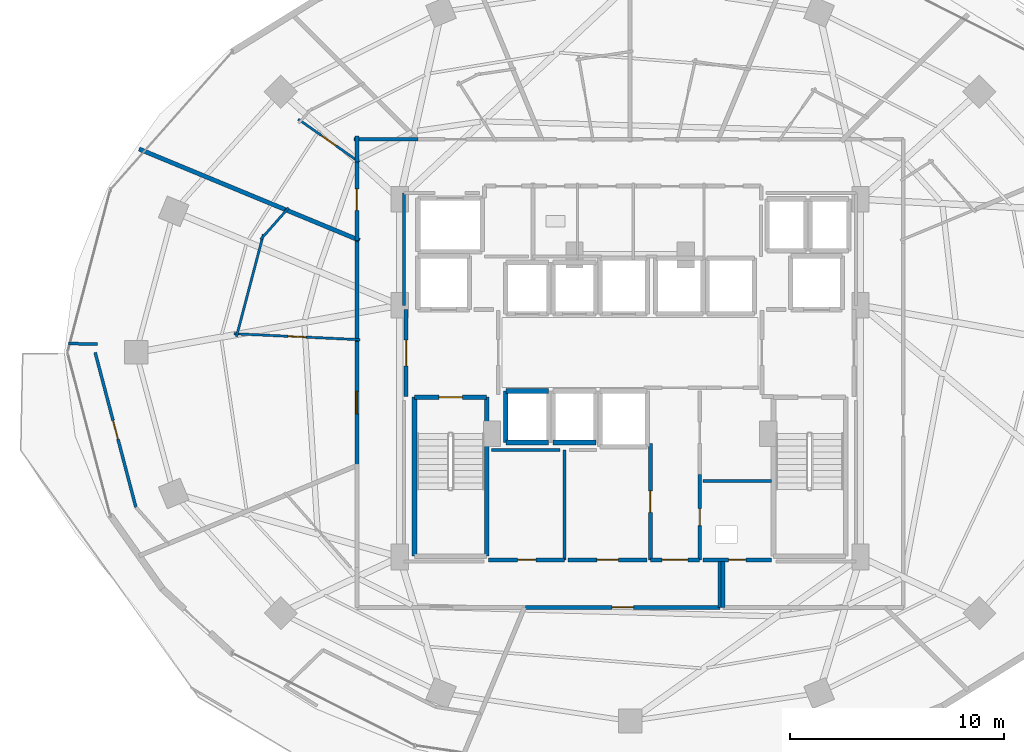
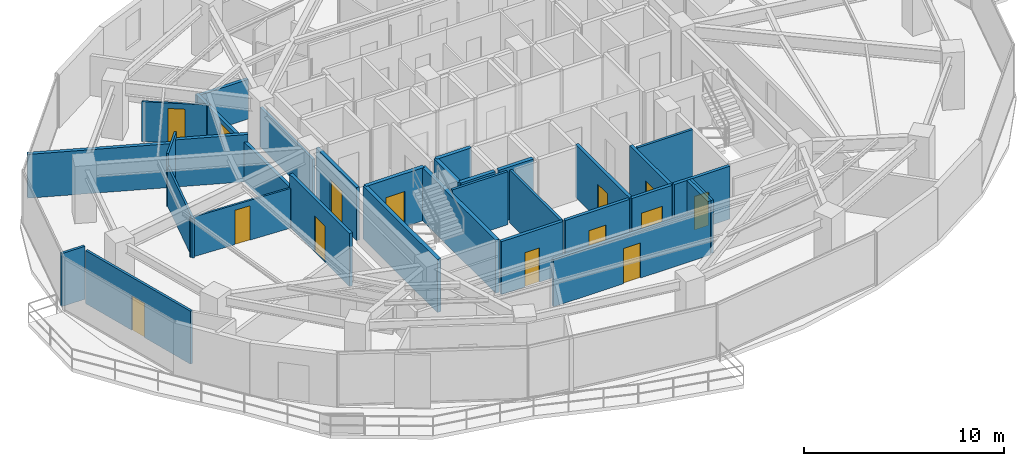
# One storey, part 24 of 31: 34 walls, 14 doors, 14 openings.
"""IFC4 building model written with IfcOpenShell, lengths in metres."""

from ifc_helpers import new_model, si_unit, direction, frame, frame_2d, origin, place, context, subcontext, project, spatial, rectangle, extrude, material, layer, layer_set, type_object, element, fill, save


model = new_model("IFC4")

# Units and contexts
model_context = context("Model", 3, precision=1e-05, world=origin(), true_north=direction((0.0, 1.0)))
body_context = subcontext(model_context, "Body", "Model", "MODEL_VIEW")
ifc_project = project(units=[si_unit("LENGTHUNIT", "METRE"), si_unit("AREAUNIT", "SQUARE_METRE"), si_unit("VOLUMEUNIT", "CUBIC_METRE"), si_unit("PLANEANGLEUNIT", "RADIAN"), si_unit("MASSUNIT", "GRAM", prefix="KILO")], contexts=[model_context])

# Site, building, storey
site_placement = place(None, origin())
site = spatial("IfcSite", under=ifc_project, at=site_placement, CompositionType="ELEMENT")
building_placement = place(site_placement, origin())
building = spatial("IfcBuilding", under=site, at=building_placement, Name="Vorneva Point Tower", CompositionType="ELEMENT")
storey_placement = place(building_placement, frame((0.0, 0.0, 99.800048828125)))
storey = spatial("IfcBuildingStorey", under=building, at=storey_placement, Name="L26", CompositionType="ELEMENT", Elevation=99.800048828125)

# Wall, opening, door
ifc_material_1 = material(Name="Fire-rated acoustic gypsum stud partition", Category="gypsum")
ifc_layer_1 = layer(ifc_material_1, 0.110107421875)
ifc_layer_set_1 = layer_set([ifc_layer_1], Name="Fire-rated acoustic gypsum stud partition")
wall_type_1 = type_object("IfcWallType", Name="WL-PART-110", PredefinedType="PARTITIONING", material=ifc_layer_set_1)
wall_1_placement = place(storey_placement, frame((25.364501953125, 34.880615234375, 0.0), z_axis=(0.0, 0.0, 1.0), x_axis=(-0.81809360258, 0.575085087111, 0.0)))
wall_1 = element("IfcWall", 1, at=wall_1_placement, inside=storey, type_object=wall_type_1, Name="L26 Interior Partition 076", PredefinedType="PARTITIONING", context=body_context, shape_type="SweptSolid", body=[
    extrude(rectangle(XDim=3.481201171875, YDim=0.110107421875, at=frame_2d((1.74072265625, 0.0))), origin(), (0.0, 0.0, 1.0), 2.431884765625),
])
opening_1_placement = place(wall_1_placement, frame((1.315673828125, 0.0, 0.0)))
opening_1 = element("IfcOpeningElement", 2, at=opening_1_placement, cuts=wall_1, Name="Opening ID-02", PredefinedType="OPENING", context=body_context, shape_type="SweptSolid", body=[
    extrude(rectangle(XDim=0.85009765625, YDim=2.10009765625, at=frame_2d((0.425048828125, 1.050048828125))), frame((0.0, 0.06982421875, 0.0), z_axis=(0.0, -1.0, 0.0), x_axis=(1.0, 0.0, 0.0)), (0.0, 0.0, 1.0), 0.139892578125),
])
ifc_material_2 = material(Name="Engineered oak fire-rated door leaf", Category="wood")
door_type_1 = type_object("IfcDoorType", Name="DR-BATH-850", OperationType="NOTDEFINED", PredefinedType="DOOR", material=ifc_material_2)
door_1_placement = place(opening_1_placement, origin())
door_1 = element("IfcDoor", 3, at=door_1_placement, inside=storey, type_object=door_type_1, Name="L26 Door Deluxe Guest Room L26-06 / En-Suite Bathroom L26-06", OperationType="SINGLE_SWING_LEFT", OverallHeight=2.10009765625, OverallWidth=0.85009765625, PredefinedType="DOOR", context=body_context, shape_type="SweptSolid", body=[
    extrude(rectangle(XDim=0.85009765625, YDim=2.10009765625, at=frame_2d((0.425048828125, 1.050048828125))), frame((0.0, 0.02490234375, 0.0), z_axis=(0.0, -1.0, 0.0), x_axis=(1.0, 0.0, 0.0)), (0.0, 0.0, 1.0), 0.050048828125),
])
fill(opening_1, door_1)

wall_2_placement = place(storey_placement, frame((25.389892578125, 26.594482421875, 0.0), z_axis=(0.0, 0.0, 1.0), x_axis=(-0.998884920498, 0.047211392719, 0.0)))
wall_2 = element("IfcWall", 4, at=wall_2_placement, inside=storey, type_object=wall_type_1, Name="L26 Interior Partition 079", PredefinedType="PARTITIONING", context=body_context, shape_type="SweptSolid", body=[
    extrude(rectangle(XDim=5.869384765625, YDim=0.110107421875, at=frame_2d((2.9345703125, 0.0))), origin(), (0.0, 0.0, 1.0), 2.431884765625),
])
opening_2_placement = place(wall_2_placement, frame((2.509521484375, 0.0, 0.0)))
opening_2 = element("IfcOpeningElement", 5, at=opening_2_placement, cuts=wall_2, Name="Opening ID-02", PredefinedType="OPENING", context=body_context, shape_type="SweptSolid", body=[
    extrude(rectangle(XDim=0.85009765625, YDim=2.10009765625, at=frame_2d((0.425048828125, 1.050048828125))), frame((0.0, 0.06982421875, 0.0), z_axis=(0.0, -1.0, 0.0), x_axis=(1.0, 0.0, 0.0)), (0.0, 0.0, 1.0), 0.139892578125),
])
door_2_placement = place(opening_2_placement, origin())
door_2 = element("IfcDoor", 6, at=door_2_placement, inside=storey, type_object=door_type_1, Name="L26 Door Executive Suite L26-07 / En-Suite Bathroom L26-07", OperationType="SINGLE_SWING_RIGHT", OverallHeight=2.10009765625, OverallWidth=0.85009765625, PredefinedType="DOOR", context=body_context, shape_type="SweptSolid", body=[
    extrude(rectangle(XDim=0.85009765625, YDim=2.10009765625, at=frame_2d((0.425048828125, 1.050048828125))), frame((0.0, 0.02490234375, 0.0), z_axis=(0.0, -1.0, 0.0), x_axis=(1.0, 0.0, 0.0)), (0.0, 0.0, 1.0), 0.050048828125),
])
fill(opening_2, door_2)

# Walls
wall_3_placement = place(storey_placement, frame((19.63134765625, 26.7294921875, 0.0), z_axis=(0.0, 0.0, 1.0), x_axis=(0.254541956306, 0.967061731473, 0.0)))
element("IfcWall", 7, at=wall_3_placement, inside=storey, type_object=wall_type_1, Name="L26 Interior Partition 080", PredefinedType="PARTITIONING", context=body_context, shape_type="SweptSolid", body=[
    extrude(rectangle(XDim=4.939453125, YDim=0.110107421875, at=frame_2d((2.4697265625, 0.0))), origin(), (0.0, 0.0, 1.0), 2.431884765625),
])
wall_4_placement = place(storey_placement, frame((20.76025390625, 31.26611328125, 0.0), z_axis=(0.0, 0.0, 1.0), x_axis=(0.662047420969, 0.749461948593, 0.0)))
element("IfcWall", 8, at=wall_4_placement, inside=storey, type_object=wall_type_1, Name="L26 Interior Partition 081", PredefinedType="PARTITIONING", context=body_context, shape_type="SweptSolid", body=[
    extrude(rectangle(XDim=1.9716796875, YDim=0.110107421875, at=frame_2d((0.98583984375, 0.0))), origin(), (0.0, 0.0, 1.0), 3.239990234375),
])
ifc_layer_2 = layer(ifc_material_1, 0.139892578125)
ifc_layer_set_2 = layer_set([ifc_layer_2], Name="Fire-rated acoustic gypsum stud partition")
wall_type_2 = type_object("IfcWallType", Name="WL-PART-140", PredefinedType="PARTITIONING", material=ifc_layer_set_2)
wall_5_placement = place(storey_placement, frame((44.60009765625, 20.0, 0.0), z_axis=(0.0, 0.0, 1.0), x_axis=(-1.0, 0.0, 0.0)))
element("IfcWall", 9, at=wall_5_placement, inside=storey, type_object=wall_type_2, Name="L26 Interior Partition 015", PredefinedType="PARTITIONING", context=body_context, shape_type="SweptSolid", body=[
    extrude(rectangle(XDim=3.2001953125, YDim=0.139892578125, at=frame_2d((1.60009765625, 0.0))), origin(), (0.0, 0.0, 1.0), 3.239990234375),
])
wall_6_placement = place(storey_placement, frame((34.949951171875, 16.320068359375, 0.0), z_axis=(0.0, 0.0, 1.0), x_axis=(0.0, 1.0, 0.0)))
element("IfcWall", 10, at=wall_6_placement, inside=storey, type_object=wall_type_2, Name="L26 Interior Partition 025", PredefinedType="PARTITIONING", context=body_context, shape_type="SweptSolid", body=[
    extrude(rectangle(XDim=5.1298828125, YDim=0.139892578125, at=frame_2d((2.56494140625, 0.0))), origin(), (0.0, 0.0, 1.0), 3.239990234375),
])
wall_7_placement = place(storey_placement, frame((11.804931640625, 26.412109375, 0.0), z_axis=(0.0, 0.0, 1.0), x_axis=(0.999862201843, -0.01660052187, 0.0)))
element("IfcWall", 11, at=wall_7_placement, inside=storey, type_object=wall_type_2, Name="L26 Interior Partition 082", PredefinedType="PARTITIONING", context=body_context, shape_type="SweptSolid", body=[
    extrude(rectangle(XDim=1.33837890625, YDim=0.139892578125, at=frame_2d((0.669189453125, 0.0))), origin(), (0.0, 0.0, 1.0), 3.239990234375),
])

# Wall, opening, door
wall_8_placement = place(storey_placement, frame((13.0400390625, 26.0, 0.0), z_axis=(0.0, 0.0, 1.0), x_axis=(0.254345287821, -0.967113475536, 0.0)))
wall_8 = element("IfcWall", 12, at=wall_8_placement, inside=storey, type_object=wall_type_2, Name="L26 Interior Partition 083", PredefinedType="PARTITIONING", context=body_context, shape_type="SweptSolid", body=[
    extrude(rectangle(XDim=7.4697265625, YDim=0.139892578125, at=frame_2d((3.73486328125, 0.0))), origin(), (0.0, 0.0, 1.0), 3.239990234375),
])
opening_3_placement = place(wall_8_placement, frame((3.284912109375, 0.0, 0.0)))
opening_3 = element("IfcOpeningElement", 13, at=opening_3_placement, cuts=wall_8, Name="Opening ID-01", PredefinedType="OPENING", context=body_context, shape_type="SweptSolid", body=[
    extrude(rectangle(XDim=0.89990234375, YDim=2.10009765625, at=frame_2d((0.449951171875, 1.050048828125))), frame((0.0, 0.0849609375, 0.0), z_axis=(0.0, -1.0, 0.0), x_axis=(1.0, 0.0, 0.0)), (0.0, 0.0, 1.0), 0.169677734375),
])
door_type_2 = type_object("IfcDoorType", Name="DR-ROOM-900", OperationType="NOTDEFINED", PredefinedType="DOOR", material=ifc_material_2)
door_3_placement = place(opening_3_placement, origin())
door_3 = element("IfcDoor", 14, at=door_3_placement, inside=storey, type_object=door_type_2, Name="L26 Door Executive Suite L26-07 / Suite Sitting Study L26-07", OperationType="SINGLE_SWING_LEFT", OverallHeight=2.10009765625, OverallWidth=0.89990234375, PredefinedType="DOOR", context=body_context, shape_type="SweptSolid", body=[
    extrude(rectangle(XDim=0.89990234375, YDim=2.10009765625, at=frame_2d((0.449951171875, 1.050048828125))), frame((0.0, 0.02490234375, 0.0), z_axis=(0.0, -1.0, 0.0), x_axis=(1.0, 0.0, 0.0)), (0.0, 0.0, 1.0), 0.050048828125),
])
fill(opening_3, door_3)

# Walls
wall_9_placement = place(storey_placement, frame((34.72998046875, 21.449951171875, 0.0), z_axis=(0.0, 0.0, 1.0), x_axis=(-1.0, 0.0, 0.0)))
element("IfcWall", 15, at=wall_9_placement, inside=storey, type_object=wall_type_2, Name="L26 Interior Closure Partition 102", PredefinedType="PARTITIONING", context=body_context, shape_type="SweptSolid", body=[
    extrude(rectangle(XDim=3.199951171875, YDim=0.139892578125, at=frame_2d((1.60009765625, 0.0))), origin(), (0.0, 0.0, 1.0), 3.239990234375),
])
wall_10_placement = place(storey_placement, frame((27.449951171875, 28.196044921875, 0.0), z_axis=(0.0, 0.0, 1.0), x_axis=(0.0, 1.0, 0.0)))
element("IfcWall", 16, at=wall_10_placement, inside=storey, type_object=wall_type_2, Name="L26 Interior Closure Partition 110", PredefinedType="PARTITIONING", context=body_context, shape_type="SweptSolid", body=[
    extrude(rectangle(XDim=5.25390625, YDim=0.139892578125, at=frame_2d((2.626953125, 0.0))), origin(), (0.0, 0.0, 1.0), 2.431884765625),
])

# Wall, opening, door
ifc_material_3 = material(Name="Autoclaved aerated concrete blockwork", Category="masonry")
ifc_layer_3 = layer(ifc_material_3, 0.179931640625)
ifc_layer_set_3 = layer_set([ifc_layer_3], Name="Autoclaved aerated concrete blockwork")
wall_type_3 = type_object("IfcWallType", Name="WL-PART-180", PredefinedType="PARTITIONING", material=ifc_layer_set_3)
wall_11_placement = place(storey_placement, frame((27.550048828125, 28.0, 0.0), z_axis=(0.0, 0.0, 1.0), x_axis=(0.0, -1.0, 0.0)))
wall_11 = element("IfcWall", 17, at=wall_11_placement, inside=storey, type_object=wall_type_3, Name="L26 Interior Partition 002", PredefinedType="PARTITIONING", context=body_context, shape_type="SweptSolid", body=[
    extrude(rectangle(XDim=4.050048828125, YDim=0.179931640625, at=frame_2d((2.02490234375, 0.0))), origin(), (0.0, 0.0, 1.0), 3.239990234375),
])
opening_4_placement = place(wall_11_placement, frame((1.425048828125, 0.0, 0.0)))
opening_4 = element("IfcOpeningElement", 18, at=opening_4_placement, cuts=wall_11, Name="Opening FD-02", PredefinedType="OPENING", context=body_context, shape_type="SweptSolid", body=[
    extrude(rectangle(XDim=1.199951171875, YDim=2.14990234375, at=frame_2d((0.60009765625, 1.074951171875))), frame((0.0, 0.10498046875, 0.0), z_axis=(0.0, -1.0, 0.0), x_axis=(1.0, 0.0, 0.0)), (0.0, 0.0, 1.0), 0.209716796875),
])
ifc_material_4 = material(Name="Fire-rated powder-coated steel", Category="steel")
door_type_3 = type_object("IfcDoorType", Name="DR-FFL-1200", OperationType="NOTDEFINED", PredefinedType="DOOR", material=ifc_material_4)
door_4_placement = place(opening_4_placement, origin())
door_4 = element("IfcDoor", 19, at=door_4_placement, inside=storey, type_object=door_type_3, Name="L26 Door West Firefighting Lobby / L26 Circulation Corridor", OperationType="SINGLE_SWING_RIGHT", OverallHeight=2.14990234375, OverallWidth=1.199951171875, PredefinedType="DOOR", context=body_context, shape_type="SweptSolid", body=[
    extrude(rectangle(XDim=1.199951171875, YDim=2.14990234375, at=frame_2d((0.60009765625, 1.074951171875))), frame((0.0, 0.02490234375, 0.0), z_axis=(0.0, -1.0, 0.0), x_axis=(1.0, 0.0, 0.0)), (0.0, 0.0, 1.0), 0.050048828125),
])
fill(opening_4, door_4)

wall_12_placement = place(storey_placement, frame((41.25, 16.320068359375, 0.0), z_axis=(0.0, 0.0, 1.0), x_axis=(0.0, 1.0, 0.0)))
wall_12 = element("IfcWall", 20, at=wall_12_placement, inside=storey, type_object=wall_type_3, Name="L26 Interior Partition 011", PredefinedType="PARTITIONING", context=body_context, shape_type="SweptSolid", body=[
    extrude(rectangle(XDim=3.98486328125, YDim=0.179931640625, at=frame_2d((1.992431640625, 0.0))), origin(), (0.0, 0.0, 1.0), 3.239990234375),
])
opening_5_placement = place(wall_12_placement, frame((1.592529296875, 0.0, 0.0)))
opening_5 = element("IfcOpeningElement", 21, at=opening_5_placement, cuts=wall_12, Name="Opening RD-01", PredefinedType="OPENING", context=body_context, shape_type="SweptSolid", body=[
    extrude(rectangle(XDim=0.800048828125, YDim=2.050048828125, at=frame_2d((0.39990234375, 1.02490234375))), frame((0.0, 0.10498046875, 0.0), z_axis=(0.0, -1.0, 0.0), x_axis=(1.0, 0.0, 0.0)), (0.0, 0.0, 1.0), 0.209716796875),
])
door_type_4 = type_object("IfcDoorType", Name="DR-RSR-800", OperationType="SINGLE_SWING_LEFT", PredefinedType="DOOR", material=ifc_material_4)
door_5_placement = place(opening_5_placement, origin())
door_5 = element("IfcDoor", 22, at=door_5_placement, inside=storey, type_object=door_type_4, Name="L26 Door Core Service Lobby / Electrical Riser", OperationType="SINGLE_SWING_RIGHT", OverallHeight=2.050048828125, OverallWidth=0.800048828125, PredefinedType="DOOR", context=body_context, shape_type="SweptSolid", body=[
    extrude(rectangle(XDim=0.800048828125, YDim=2.050048828125, at=frame_2d((0.39990234375, 1.02490234375))), frame((0.0, 0.02490234375, 0.0), z_axis=(0.0, -1.0, 0.0), x_axis=(1.0, 0.0, 0.0)), (0.0, 0.0, 1.0), 0.050048828125),
])
fill(opening_5, door_5)

wall_13_placement = place(storey_placement, frame((38.949951171875, 21.7548828125, 0.0), z_axis=(0.0, 0.0, 1.0), x_axis=(0.0, -1.0, 0.0)))
wall_13 = element("IfcWall", 23, at=wall_13_placement, inside=storey, type_object=wall_type_3, Name="L26 Interior Partition 013", PredefinedType="PARTITIONING", context=body_context, shape_type="SweptSolid", body=[
    extrude(rectangle(XDim=5.434814453125, YDim=0.179931640625, at=frame_2d((2.71728515625, 0.0))), origin(), (0.0, 0.0, 1.0), 3.239990234375),
])
opening_6_placement = place(wall_13_placement, frame((2.217529296875, 0.0, 0.0)))
opening_6 = element("IfcOpeningElement", 24, at=opening_6_placement, cuts=wall_13, Name="Opening UD-01", PredefinedType="OPENING", context=body_context, shape_type="SweptSolid", body=[
    extrude(rectangle(XDim=1.0, YDim=2.14990234375, at=frame_2d((0.5, 1.074951171875))), frame((0.0, 0.10498046875, 0.0), z_axis=(0.0, -1.0, 0.0), x_axis=(1.0, 0.0, 0.0)), (0.0, 0.0, 1.0), 0.209716796875),
])
door_type_5 = type_object("IfcDoorType", Name="DR-UNIT-1000", OperationType="NOTDEFINED", PredefinedType="DOOR", material=ifc_material_2)
door_6_placement = place(opening_6_placement, origin())
door_6 = element("IfcDoor", 25, at=door_6_placement, inside=storey, type_object=door_type_5, Name="L26 Door Core Service Lobby / Staff Service Pantry", OperationType="SINGLE_SWING_RIGHT", OverallHeight=2.14990234375, OverallWidth=1.0, PredefinedType="DOOR", context=body_context, shape_type="SweptSolid", body=[
    extrude(rectangle(XDim=1.0, YDim=2.14990234375, at=frame_2d((0.5, 1.074951171875))), frame((0.0, 0.02490234375, 0.0), z_axis=(0.0, -1.0, 0.0), x_axis=(1.0, 0.0, 0.0)), (0.0, 0.0, 1.0), 0.050048828125),
])
fill(opening_6, door_6)

wall_14_placement = place(storey_placement, frame((38.949951171875, 16.320068359375, 0.0), z_axis=(0.0, 0.0, 1.0), x_axis=(1.0, 0.0, 0.0)))
wall_14 = element("IfcWall", 26, at=wall_14_placement, inside=storey, type_object=wall_type_3, Name="L26 Interior Partition 014", PredefinedType="PARTITIONING", context=body_context, shape_type="SweptSolid", body=[
    extrude(rectangle(XDim=2.300048828125, YDim=0.179931640625, at=frame_2d((1.14990234375, 0.0))), origin(), (0.0, 0.0, 1.0), 3.239990234375),
])
opening_7_placement = place(wall_14_placement, frame((0.550048828125, 0.0, 0.0)))
opening_7 = element("IfcOpeningElement", 27, at=opening_7_placement, cuts=wall_14, Name="Opening FD-02", PredefinedType="OPENING", context=body_context, shape_type="SweptSolid", body=[
    extrude(rectangle(XDim=1.199951171875, YDim=2.14990234375, at=frame_2d((0.60009765625, 1.074951171875))), frame((0.0, 0.10498046875, 0.0), z_axis=(0.0, -1.0, 0.0), x_axis=(1.0, 0.0, 0.0)), (0.0, 0.0, 1.0), 0.209716796875),
])
door_7_placement = place(opening_7_placement, origin())
door_7 = element("IfcDoor", 28, at=door_7_placement, inside=storey, type_object=door_type_3, Name="L26 Door Core Service Lobby / L26 Circulation Corridor", OperationType="SINGLE_SWING_LEFT", OverallHeight=2.14990234375, OverallWidth=1.199951171875, PredefinedType="DOOR", context=body_context, shape_type="SweptSolid", body=[
    extrude(rectangle(XDim=1.199951171875, YDim=2.14990234375, at=frame_2d((0.60009765625, 1.074951171875))), frame((0.0, 0.02490234375, 0.0), z_axis=(0.0, -1.0, 0.0), x_axis=(1.0, 0.0, 0.0)), (0.0, 0.0, 1.0), 0.050048828125),
])
fill(opening_7, door_7)

wall_15_placement = place(storey_placement, frame((41.39990234375, 16.320068359375, 0.0), z_axis=(0.0, 0.0, 1.0), x_axis=(1.0, 0.0, 0.0)))
wall_15 = element("IfcWall", 29, at=wall_15_placement, inside=storey, type_object=wall_type_3, Name="L26 Interior Partition 016", PredefinedType="PARTITIONING", context=body_context, shape_type="SweptSolid", body=[
    extrude(rectangle(XDim=3.2001953125, YDim=0.179931640625, at=frame_2d((1.60009765625, 0.0))), origin(), (0.0, 0.0, 1.0), 3.239990234375),
])
opening_8_placement = place(wall_15_placement, frame((1.199951171875, 0.0, 0.0)))
opening_8 = element("IfcOpeningElement", 30, at=opening_8_placement, cuts=wall_15, Name="Opening RD-01", PredefinedType="OPENING", context=body_context, shape_type="SweptSolid", body=[
    extrude(rectangle(XDim=0.800048828125, YDim=2.050048828125, at=frame_2d((0.39990234375, 1.02490234375))), frame((0.0, 0.10498046875, 0.0), z_axis=(0.0, -1.0, 0.0), x_axis=(1.0, 0.0, 0.0)), (0.0, 0.0, 1.0), 0.209716796875),
])
door_8_placement = place(opening_8_placement, origin())
door_8 = element("IfcDoor", 31, at=door_8_placement, inside=storey, type_object=door_type_4, Name="L26 Door Electrical Riser / L26 Circulation Corridor", OperationType="SINGLE_SWING_RIGHT", OverallHeight=2.050048828125, OverallWidth=0.800048828125, PredefinedType="DOOR", context=body_context, shape_type="SweptSolid", body=[
    extrude(rectangle(XDim=0.800048828125, YDim=2.050048828125, at=frame_2d((0.39990234375, 1.02490234375))), frame((0.0, 0.02490234375, 0.0), z_axis=(0.0, -1.0, 0.0), x_axis=(1.0, 0.0, 0.0)), (0.0, 0.0, 1.0), 0.050048828125),
])
fill(opening_8, door_8)

wall_16_placement = place(storey_placement, frame((31.39990234375, 16.320068359375, 0.0), z_axis=(0.0, 0.0, 1.0), x_axis=(1.0, 0.0, 0.0)))
wall_16 = element("IfcWall", 32, at=wall_16_placement, inside=storey, type_object=wall_type_3, Name="L26 Interior Partition 026", PredefinedType="PARTITIONING", context=body_context, shape_type="SweptSolid", body=[
    extrude(rectangle(XDim=3.550048828125, YDim=0.179931640625, at=frame_2d((1.77490234375, 0.0))), origin(), (0.0, 0.0, 1.0), 3.239990234375),
])
opening_9_placement = place(wall_16_placement, frame((1.35009765625, 0.0, 0.0)))
opening_9 = element("IfcOpeningElement", 33, at=opening_9_placement, cuts=wall_16, Name="Opening ID-02", PredefinedType="OPENING", context=body_context, shape_type="SweptSolid", body=[
    extrude(rectangle(XDim=0.85009765625, YDim=2.10009765625, at=frame_2d((0.425048828125, 1.050048828125))), frame((0.0, 0.10498046875, 0.0), z_axis=(0.0, -1.0, 0.0), x_axis=(1.0, 0.0, 0.0)), (0.0, 0.0, 1.0), 0.209716796875),
])
door_9_placement = place(opening_9_placement, origin())
door_9 = element("IfcDoor", 34, at=door_9_placement, inside=storey, type_object=door_type_1, Name="L26 Door Housekeeping Room / L26 Circulation Corridor", OperationType="SINGLE_SWING_LEFT", OverallHeight=2.10009765625, OverallWidth=0.85009765625, PredefinedType="DOOR", context=body_context, shape_type="SweptSolid", body=[
    extrude(rectangle(XDim=0.85009765625, YDim=2.10009765625, at=frame_2d((0.425048828125, 1.050048828125))), frame((0.0, 0.02490234375, 0.0), z_axis=(0.0, -1.0, 0.0), x_axis=(1.0, 0.0, 0.0)), (0.0, 0.0, 1.0), 0.050048828125),
])
fill(opening_9, door_9)

wall_17_placement = place(storey_placement, frame((35.10009765625, 16.320068359375, 0.0), z_axis=(0.0, 0.0, 1.0), x_axis=(1.0, 0.0, 0.0)))
wall_17 = element("IfcWall", 35, at=wall_17_placement, inside=storey, type_object=wall_type_3, Name="L26 Interior Partition 027", PredefinedType="PARTITIONING", context=body_context, shape_type="SweptSolid", body=[
    extrude(rectangle(XDim=3.699951171875, YDim=0.179931640625, at=frame_2d((1.85009765625, 0.0))), origin(), (0.0, 0.0, 1.0), 3.239990234375),
])
opening_10_placement = place(wall_17_placement, frame((1.35009765625, 0.0, 0.0)))
opening_10 = element("IfcOpeningElement", 36, at=opening_10_placement, cuts=wall_17, Name="Opening UD-01", PredefinedType="OPENING", context=body_context, shape_type="SweptSolid", body=[
    extrude(rectangle(XDim=1.0, YDim=2.14990234375, at=frame_2d((0.5, 1.074951171875))), frame((0.0, 0.10498046875, 0.0), z_axis=(0.0, -1.0, 0.0), x_axis=(1.0, 0.0, 0.0)), (0.0, 0.0, 1.0), 0.209716796875),
])
door_10_placement = place(opening_10_placement, origin())
door_10 = element("IfcDoor", 37, at=door_10_placement, inside=storey, type_object=door_type_5, Name="L26 Door Staff Service Pantry / L26 Circulation Corridor", OperationType="SINGLE_SWING_RIGHT", OverallHeight=2.14990234375, OverallWidth=1.0, PredefinedType="DOOR", context=body_context, shape_type="SweptSolid", body=[
    extrude(rectangle(XDim=1.0, YDim=2.14990234375, at=frame_2d((0.5, 1.074951171875))), frame((0.0, 0.02490234375, 0.0), z_axis=(0.0, -1.0, 0.0), x_axis=(1.0, 0.0, 0.0)), (0.0, 0.0, 1.0), 0.050048828125),
])
fill(opening_10, door_10)

wall_18_placement = place(storey_placement, frame((25.25, 35.033935546875, 0.0), z_axis=(0.0, 0.0, 1.0), x_axis=(0.0, -1.0, 0.0)))
wall_18 = element("IfcWall", 38, at=wall_18_placement, inside=storey, type_object=wall_type_3, Name="L26 Interior Partition 039", PredefinedType="PARTITIONING", context=body_context, shape_type="SweptSolid", body=[
    extrude(rectangle(XDim=3.81298828125, YDim=0.179931640625, at=frame_2d((1.906494140625, 0.0))), origin(), (0.0, 0.0, 1.0), 2.431884765625),
])
opening_11_placement = place(wall_18_placement, frame((1.406494140625, 0.0, 0.0)))
opening_11 = element("IfcOpeningElement", 39, at=opening_11_placement, cuts=wall_18, Name="Opening UD-01", PredefinedType="OPENING", context=body_context, shape_type="SweptSolid", body=[
    extrude(rectangle(XDim=1.0, YDim=2.14990234375, at=frame_2d((0.5, 1.074951171875))), frame((0.0, 0.10498046875, 0.0), z_axis=(0.0, -1.0, 0.0), x_axis=(1.0, 0.0, 0.0)), (0.0, 0.0, 1.0), 0.209716796875),
])
door_11_placement = place(opening_11_placement, origin())
door_11 = element("IfcDoor", 40, at=door_11_placement, inside=storey, type_object=door_type_5, Name="L26 Door L26 Circulation Corridor / Deluxe Guest Room L26-06", OperationType="SINGLE_SWING_RIGHT", OverallHeight=2.14990234375, OverallWidth=1.0, PredefinedType="DOOR", context=body_context, shape_type="SweptSolid", body=[
    extrude(rectangle(XDim=1.0, YDim=2.14990234375, at=frame_2d((0.5, 1.074951171875))), frame((0.0, 0.02490234375, 0.0), z_axis=(0.0, -1.0, 0.0), x_axis=(1.0, 0.0, 0.0)), (0.0, 0.0, 1.0), 0.050048828125),
])
fill(opening_11, door_11)

# Walls
wall_19_placement = place(storey_placement, frame((28.10498046875, 35.949951171875, 0.0), z_axis=(0.0, 0.0, 1.0), x_axis=(-1.0, 0.0, 0.0)))
element("IfcWall", 41, at=wall_19_placement, inside=storey, type_object=wall_type_3, Name="L26 Interior Partition 040", PredefinedType="PARTITIONING", context=body_context, shape_type="SweptSolid", body=[
    extrude(rectangle(XDim=2.994873046875, YDim=0.179931640625, at=frame_2d((1.49755859375, 0.0))), origin(), (0.0, 0.0, 1.0), 2.431884765625),
])
wall_20_placement = place(storey_placement, frame((25.25, 36.090087890625, 0.0), z_axis=(0.0, 0.0, 1.0), x_axis=(0.0, -1.0, 0.0)))
element("IfcWall", 42, at=wall_20_placement, inside=storey, type_object=wall_type_3, Name="L26 Interior Partition 041", PredefinedType="PARTITIONING", context=body_context, shape_type="SweptSolid", body=[
    extrude(rectangle(XDim=1.196044921875, YDim=0.179931640625, at=frame_2d((0.59814453125, 0.0))), origin(), (0.0, 0.0, 1.0), 2.431884765625),
])

# Wall, opening, door
wall_21_placement = place(storey_placement, frame((25.25, 26.660888671875, 0.0), z_axis=(0.0, 0.0, 1.0), x_axis=(0.0, -1.0, 0.0)))
wall_21 = element("IfcWall", 43, at=wall_21_placement, inside=storey, type_object=wall_type_3, Name="L26 Interior Partition 042", PredefinedType="PARTITIONING", context=body_context, shape_type="SweptSolid", body=[
    extrude(rectangle(XDim=6.0068359375, YDim=0.179931640625, at=frame_2d((3.00341796875, 0.0))), origin(), (0.0, 0.0, 1.0), 3.239990234375),
])
opening_12_placement = place(wall_21_placement, frame((2.478515625, 0.0, 0.0)))
opening_12 = element("IfcOpeningElement", 44, at=opening_12_placement, cuts=wall_21, Name="Opening UD-02", PredefinedType="OPENING", context=body_context, shape_type="SweptSolid", body=[
    extrude(rectangle(XDim=1.050048828125, YDim=2.199951171875, at=frame_2d((0.52490234375, 1.10009765625))), frame((0.0, 0.10498046875, 0.0), z_axis=(0.0, -1.0, 0.0), x_axis=(1.0, 0.0, 0.0)), (0.0, 0.0, 1.0), 0.209716796875),
])
door_type_6 = type_object("IfcDoorType", Name="DR-SUITE-1050", OperationType="NOTDEFINED", PredefinedType="DOOR", material=ifc_material_2)
door_12_placement = place(opening_12_placement, origin())
door_12 = element("IfcDoor", 45, at=door_12_placement, inside=storey, type_object=door_type_6, Name="L26 Door L26 Circulation Corridor / Executive Suite L26-07", OperationType="SINGLE_SWING_LEFT", OverallHeight=2.199951171875, OverallWidth=1.050048828125, PredefinedType="DOOR", context=body_context, shape_type="SweptSolid", body=[
    extrude(rectangle(XDim=1.050048828125, YDim=2.199951171875, at=frame_2d((0.52490234375, 1.10009765625))), frame((0.0, 0.02490234375, 0.0), z_axis=(0.0, -1.0, 0.0), x_axis=(1.0, 0.0, 0.0)), (0.0, 0.0, 1.0), 0.050048828125),
])
fill(opening_12, door_12)

# Walls
wall_22_placement = place(storey_placement, frame((25.25, 31.361083984375, 0.0), z_axis=(0.0, 0.0, 1.0), x_axis=(0.0, -1.0, 0.0)))
element("IfcWall", 46, at=wall_22_placement, inside=storey, type_object=wall_type_3, Name="L26 Interior Partition 043", PredefinedType="PARTITIONING", context=body_context, shape_type="SweptSolid", body=[
    extrude(rectangle(XDim=4.840087890625, YDim=0.179931640625, at=frame_2d((2.419921875, 0.0))), origin(), (0.0, 0.0, 1.0), 2.431884765625),
])
wall_23_placement = place(storey_placement, frame((42.340087890625, 16.239990234375, 0.0), z_axis=(0.0, 0.0, 1.0), x_axis=(0.0, -1.0, 0.0)))
element("IfcWall", 47, at=wall_23_placement, inside=storey, type_object=wall_type_3, Name="L26 Interior Partition 047", PredefinedType="PARTITIONING", context=body_context, shape_type="SweptSolid", body=[
    extrude(rectangle(XDim=2.139892578125, YDim=0.179931640625, at=frame_2d((1.06982421875, 0.0))), origin(), (0.0, 0.0, 1.0), 3.239990234375),
])

# Wall, opening, door
wall_24_placement = place(storey_placement, frame((33.131103515625, 14.10009765625, 0.0), z_axis=(0.0, 0.0, 1.0), x_axis=(1.0, 0.0, 0.0)))
wall_24 = element("IfcWall", 48, at=wall_24_placement, inside=storey, type_object=wall_type_3, Name="L26 Interior Partition 049", PredefinedType="PARTITIONING", context=body_context, shape_type="SweptSolid", body=[
    extrude(rectangle(XDim=9.06884765625, YDim=0.179931640625, at=frame_2d((4.534423828125, 0.0))), origin(), (0.0, 0.0, 1.0), 2.885986328125),
])
opening_13_placement = place(wall_24_placement, frame((4.034423828125, 0.0, 0.0)))
opening_13 = element("IfcOpeningElement", 49, at=opening_13_placement, cuts=wall_24, Name="Opening UD-01", PredefinedType="OPENING", context=body_context, shape_type="SweptSolid", body=[
    extrude(rectangle(XDim=1.0, YDim=2.14990234375, at=frame_2d((0.5, 1.074951171875))), frame((0.0, 0.10498046875, 0.0), z_axis=(0.0, -1.0, 0.0), x_axis=(1.0, 0.0, 0.0)), (0.0, 0.0, 1.0), 0.209716796875),
])
door_13_placement = place(opening_13_placement, origin())
door_13 = element("IfcDoor", 50, at=door_13_placement, inside=storey, type_object=door_type_5, Name="L26 Door L26 Circulation Corridor / Hotel Club Lounge L26-09", OperationType="SINGLE_SWING_LEFT", OverallHeight=2.14990234375, OverallWidth=1.0, PredefinedType="DOOR", context=body_context, shape_type="SweptSolid", body=[
    extrude(rectangle(XDim=1.0, YDim=2.14990234375, at=frame_2d((0.5, 1.074951171875))), frame((0.0, 0.02490234375, 0.0), z_axis=(0.0, -1.0, 0.0), x_axis=(1.0, 0.0, 0.0)), (0.0, 0.0, 1.0), 0.050048828125),
])
fill(opening_13, door_13)

# Walls
wall_25_placement = place(storey_placement, frame((42.199951171875, 14.10009765625, 0.0), z_axis=(0.0, 0.0, 1.0), x_axis=(0.0, 1.0, 0.0)))
element("IfcWall", 51, at=wall_25_placement, inside=storey, type_object=wall_type_3, Name="L26 Interior Partition 050", PredefinedType="PARTITIONING", context=body_context, shape_type="SweptSolid", body=[
    extrude(rectangle(XDim=2.139892578125, YDim=0.179931640625, at=frame_2d((1.06982421875, 0.0))), origin(), (0.0, 0.0, 1.0), 3.239990234375),
])
ifc_layer_4 = layer(ifc_material_3, 0.199951171875)
ifc_layer_set_4 = layer_set([ifc_layer_4], Name="Autoclaved aerated concrete blockwork")
wall_type_4 = type_object("IfcWallType", Name="WL-PART-200", PredefinedType="PARTITIONING", material=ifc_layer_set_4)
wall_26_placement = place(storey_placement, frame((15.089111328125, 35.489990234375, 0.0), z_axis=(0.0, 0.0, 1.0), x_axis=(0.923888472039, -0.382661849723, 0.0)))
element("IfcWall", 52, at=wall_26_placement, inside=storey, type_object=wall_type_4, Name="L26 Interior Partition 077", PredefinedType="PARTITIONING", context=body_context, shape_type="SweptSolid", body=[
    extrude(rectangle(XDim=7.510498046875, YDim=0.199951171875, at=frame_2d((3.75537109375, 0.0))), origin(), (0.0, 0.0, 1.0), 2.677001953125),
])
wall_27_placement = place(storey_placement, frame((21.898681640625, 32.66943359375, 0.0), z_axis=(0.0, 0.0, 1.0), x_axis=(0.923843852071, -0.382769561211, 0.0)))
element("IfcWall", 53, at=wall_27_placement, inside=storey, type_object=wall_type_4, Name="L26 Interior Partition 078", PredefinedType="PARTITIONING", context=body_context, shape_type="SweptSolid", body=[
    extrude(rectangle(XDim=3.767578125, YDim=0.199951171875, at=frame_2d((1.8837890625, 0.0))), origin(), (0.0, 0.0, 1.0), 2.885986328125),
])

# Wall, opening, door
ifc_material_5 = material(Name="Concrete B50 (C40/50)", Category="concrete")
ifc_layer_5 = layer(ifc_material_5, 0.219970703125)
ifc_layer_set_5 = layer_set([ifc_layer_5], Name="Concrete B50 (C40/50)")
wall_type_5 = type_object("IfcWallType", Name="WL-SHFT-220", PredefinedType="SOLIDWALL", material=ifc_layer_set_5)
wall_28_placement = place(storey_placement, frame((27.93994140625, 23.909912109375, 0.0), z_axis=(0.0, 0.0, 1.0), x_axis=(1.0, 0.0, 0.0)))
wall_28 = element("IfcWall", 54, at=wall_28_placement, inside=storey, type_object=wall_type_5, Name="L26 Exit Stair ST1 Shaft Wall near", PredefinedType="SOLIDWALL", context=body_context, shape_type="SweptSolid", body=[
    extrude(rectangle(XDim=3.3701171875, YDim=0.219970703125, at=frame_2d((1.68505859375, 0.0))), origin(), (0.0, 0.0, 1.0), 3.239990234375),
])
opening_14_placement = place(wall_28_placement, frame((1.135009765625, 0.0, 0.0)))
opening_14 = element("IfcOpeningElement", 55, at=opening_14_placement, cuts=wall_28, Name="Opening FD-01", PredefinedType="OPENING", context=body_context, shape_type="SweptSolid", body=[
    extrude(rectangle(XDim=1.10009765625, YDim=2.14990234375, at=frame_2d((0.550048828125, 1.074951171875))), frame((0.0, 0.125, 0.0), z_axis=(0.0, -1.0, 0.0), x_axis=(1.0, 0.0, 0.0)), (0.0, 0.0, 1.0), 0.249755859375),
])
door_type_7 = type_object("IfcDoorType", Name="DR-STAIR-1100", OperationType="NOTDEFINED", PredefinedType="DOOR", material=ifc_material_4)
door_14_placement = place(opening_14_placement, origin())
door_14 = element("IfcDoor", 56, at=door_14_placement, inside=storey, type_object=door_type_7, Name="L26 Exit Stair ST1 Fire Door", OperationType="SINGLE_SWING_RIGHT", OverallHeight=2.14990234375, OverallWidth=1.10009765625, PredefinedType="DOOR", context=body_context, shape_type="SweptSolid", body=[
    extrude(rectangle(XDim=1.10009765625, YDim=2.14990234375, at=frame_2d((0.550048828125, 1.074951171875))), frame((0.0, 0.02490234375, 0.0), z_axis=(0.0, -1.0, 0.0), x_axis=(1.0, 0.0, 0.0)), (0.0, 0.0, 1.0), 0.050048828125),
])
fill(opening_14, door_14)

# Walls
for number, where, z_axis, x_axis, name in (
    (57, (31.31005859375, 23.909912109375, 0.0), (0.0, 0.0, 1.0), (0.0, -1.0, 0.0), "L26 Exit Stair ST1 Shaft Wall right"),
    (58, (27.93994140625, 16.489990234375, 0.0), (0.0, 0.0, 1.0), (0.0, 1.0, 0.0), "L26 Exit Stair ST1 Shaft Wall left"),
):
    element("IfcWall", number, at=place(storey_placement, frame(where, z_axis=z_axis, x_axis=x_axis)), inside=storey, type_object=wall_type_5, Name=name, PredefinedType="SOLIDWALL", context=body_context, shape_type="SweptSolid", body=[
        extrude(rectangle(XDim=7.419921875, YDim=0.219970703125, at=frame_2d((3.7099609375, 0.0))), origin(), (0.0, 0.0, 1.0), 3.239990234375),
    ])
for number, where, z_axis, x_axis, name in (
    (59, (32.199951171875, 21.800048828125, 0.0), (0.0, 0.0, 1.0), (1.0, 0.0, 0.0), "L26 Lift PL4 Shaft Wall -Y"),
    (60, (34.199951171875, 24.199951171875, 0.0), (0.0, 0.0, 1.0), (-1.0, 0.0, 0.0), "L26 Lift PL4 Shaft Wall +Y"),
):
    element("IfcWall", number, at=place(storey_placement, frame(where, z_axis=z_axis, x_axis=x_axis)), inside=storey, type_object=wall_type_5, Name=name, PredefinedType="SOLIDWALL", context=body_context, shape_type="SweptSolid", body=[
        extrude(rectangle(XDim=2.0, YDim=0.219970703125, at=frame_2d((1.0, 0.0))), origin(), (0.0, 0.0, 1.0), 3.239990234375),
    ])
wall_29_placement = place(storey_placement, frame((32.199951171875, 24.199951171875, 0.0), z_axis=(0.0, 0.0, 1.0), x_axis=(0.0, -1.0, 0.0)))
element("IfcWall", 61, at=wall_29_placement, inside=storey, type_object=wall_type_5, Name="L26 Lift PL4 Shaft Wall -X", PredefinedType="SOLIDWALL", context=body_context, shape_type="SweptSolid", body=[
    extrude(rectangle(XDim=2.39990234375, YDim=0.219970703125, at=frame_2d((1.199951171875, 0.0))), origin(), (0.0, 0.0, 1.0), 3.239990234375),
])
wall_30_placement = place(storey_placement, frame((34.39990234375, 21.800048828125, 0.0), z_axis=(0.0, 0.0, 1.0), x_axis=(1.0, 0.0, 0.0)))
element("IfcWall", 62, at=wall_30_placement, inside=storey, type_object=wall_type_5, Name="L26 Lift PL5 Shaft Wall -Y", PredefinedType="SOLIDWALL", context=body_context, shape_type="SweptSolid", body=[
    extrude(rectangle(XDim=2.0, YDim=0.219970703125, at=frame_2d((1.0, 0.0))), origin(), (0.0, 0.0, 1.0), 3.239990234375),
])

save(model, "model.ifc")
